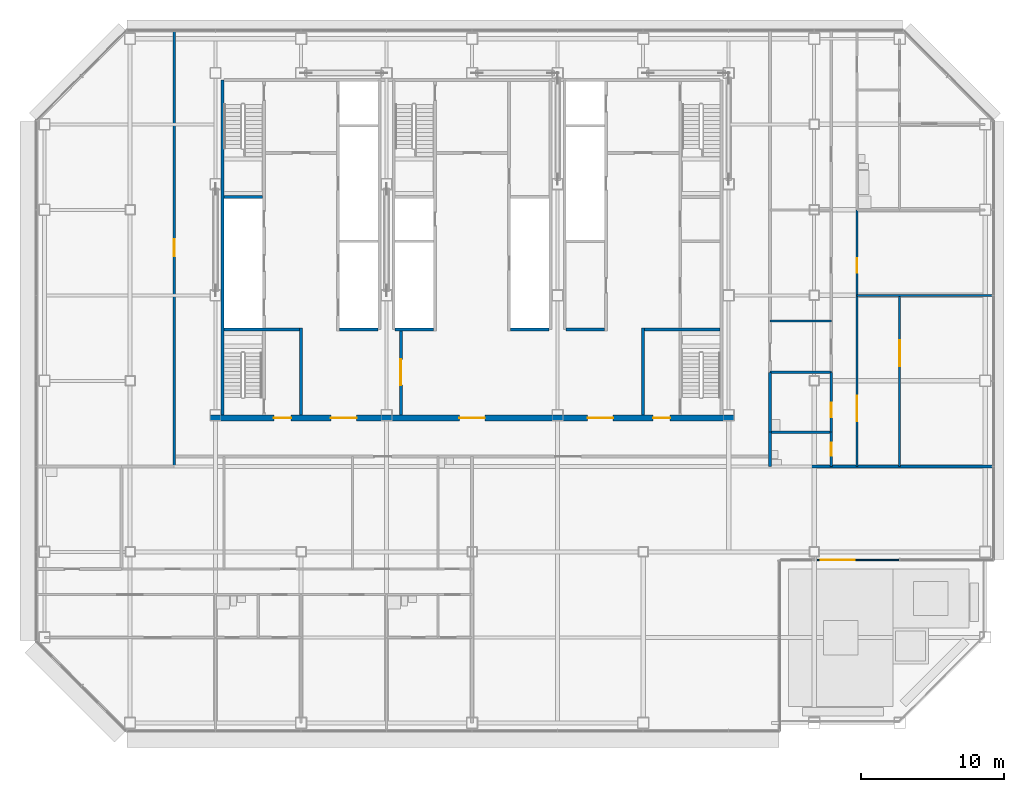
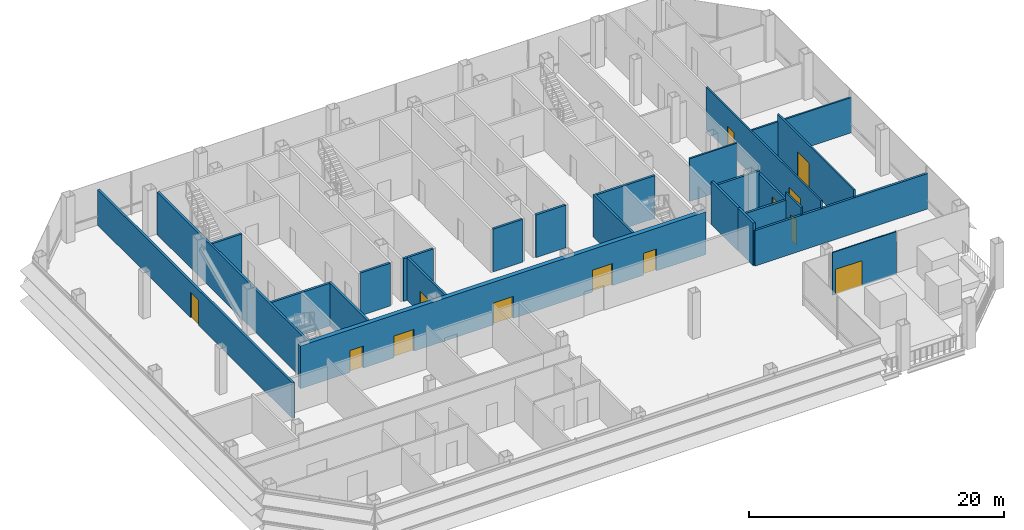
# One storey, part 20 of 28: 25 walls, 13 doors, 13 openings.
"""IFC4 building model written with IfcOpenShell, lengths in metres."""

from ifc_helpers import new_model, si_unit, direction, frame, frame_2d, origin, place, context, subcontext, project, spatial, rectangle, extrude, material, layer, layer_set, type_object, element, fill, save


model = new_model("IFC4")

# Units and contexts
model_context = context("Model", 3, precision=1e-05, world=origin(), true_north=direction((0.0, 1.0)))
body_context = subcontext(model_context, "Body", "Model", "MODEL_VIEW")
ifc_project = project(units=[si_unit("LENGTHUNIT", "METRE"), si_unit("AREAUNIT", "SQUARE_METRE"), si_unit("VOLUMEUNIT", "CUBIC_METRE"), si_unit("PLANEANGLEUNIT", "RADIAN"), si_unit("MASSUNIT", "GRAM", prefix="KILO")], contexts=[model_context])

# Site, building, storey
site_placement = place(None, origin())
site = spatial("IfcSite", under=ifc_project, at=site_placement, CompositionType="ELEMENT")
building_placement = place(site_placement, origin())
building = spatial("IfcBuilding", under=site, at=building_placement, Name="Sorahane Residences", CompositionType="ELEMENT")
storey_placement = place(building_placement, frame((0.0, 0.0, 134.0)))
storey = spatial("IfcBuildingStorey", under=building, at=storey_placement, Name="L30", CompositionType="ELEMENT", Elevation=134.0)

# Wall
ifc_material_1 = material(Name="Concrete C30", Category="concrete")
ifc_layer_1 = layer(ifc_material_1, 0.199951171875)
ifc_layer_set_1 = layer_set([ifc_layer_1], Name="Core face wall 200 EI 180")
wall_type_1 = type_object("IfcWallType", Name="Core face wall 200 EI 180", PredefinedType="SOLIDWALL", material=ifc_layer_set_1)
wall_1_placement = place(storey_placement, frame((6.5, 21.60009765625, 0.0), z_axis=(0.0, 0.0, 1.0), x_axis=(0.0, 1.0, 0.0)))
element("IfcWall", 1, at=wall_1_placement, inside=storey, type_object=wall_type_1, Name="L30 core face wall", PredefinedType="SOLIDWALL", context=body_context, shape_type="SweptSolid", body=[
    extrude(rectangle(XDim=23.5, YDim=0.199951171875, at=frame_2d((11.75, 0.0))), origin(), (0.0, 0.0, 1.0), 4.10009765625),
])

# Wall, opening, door
ifc_material_2 = material(Name="Concrete blockwork C20 wall", Category="masonry")
ifc_layer_2 = layer(ifc_material_2, 0.199951171875)
ifc_layer_set_2 = layer_set([ifc_layer_2], Name="Corridor wall 200 EI 120")
wall_type_2 = type_object("IfcWallType", Name="Corridor wall 200 EI 120", PredefinedType="SOLIDWALL", material=ifc_layer_set_2)
wall_2_placement = place(storey_placement, frame((3.10009765625, 18.0, 0.0), z_axis=(0.0, 0.0, 1.0), x_axis=(0.0, 1.0, 0.0)))
wall_2 = element("IfcWall", 2, at=wall_2_placement, inside=storey, type_object=wall_type_2, Name="L30 corridor wall", PredefinedType="SOLIDWALL", context=body_context, shape_type="SweptSolid", body=[
    extrude(rectangle(XDim=30.60009765625, YDim=0.199951171875, at=frame_2d((15.300048828125, 0.0))), origin(), (0.0, 0.0, 1.0), 3.39990234375),
])
opening_1_placement = place(wall_2_placement, frame((14.75, 0.0, 0.0)))
opening_1 = element("IfcOpeningElement", 3, at=opening_1_placement, cuts=wall_2, Name="Opening L30-30", PredefinedType="OPENING", context=body_context, shape_type="SweptSolid", body=[
    extrude(rectangle(XDim=1.199951171875, YDim=2.39990234375, at=frame_2d((0.60009765625, 1.199951171875))), frame((0.0, 0.10986328125, 0.0), z_axis=(0.0, -1.0, 0.0), x_axis=(1.0, 0.0, 0.0)), (0.0, 0.0, 1.0), 0.219970703125),
])
ifc_material_3 = material(Name="Steel", Category="steel")
door_type_1 = type_object("IfcDoorType", Name="Lobby door 1200x2400 FD60", OperationType="NOTDEFINED", PredefinedType="DOOR", material=ifc_material_3)
door_1_placement = place(opening_1_placement, origin())
door_1 = element("IfcDoor", 4, at=door_1_placement, inside=storey, type_object=door_type_1, Name="Lobby door L30-30", OperationType="SINGLE_SWING_LEFT", OverallHeight=2.39990234375, OverallWidth=1.199951171875, PredefinedType="DOOR", context=body_context, shape_type="SweptSolid", body=[
    extrude(rectangle(XDim=1.199951171875, YDim=2.39990234375, at=frame_2d((0.60009765625, 1.199951171875))), frame((0.0, 0.02490234375, 0.0), z_axis=(0.0, -1.0, 0.0), x_axis=(1.0, 0.0, 0.0)), (0.0, 0.0, 1.0), 0.050048828125),
])
fill(opening_1, door_1)

# Walls
wall_3_placement = place(storey_placement, frame((44.89990234375, 18.001953125, 0.0), z_axis=(0.0, 0.0, 1.0), x_axis=(0.0, 1.0, 0.0)))
element("IfcWall", 5, at=wall_3_placement, inside=storey, type_object=wall_type_2, Name="L30 corridor wall", PredefinedType="SOLIDWALL", context=body_context, shape_type="SweptSolid", body=[
    extrude(rectangle(XDim=2.39794921875, YDim=0.199951171875, at=frame_2d((1.198974609375, 0.0))), origin(), (0.0, 0.0, 1.0), 4.10009765625),
])
wall_4_placement = place(storey_placement, frame((44.902099609375, 18.0, 0.0), z_axis=(0.0, 0.0, 1.0), x_axis=(1.0, 0.0, 0.0)))
element("IfcWall", 6, at=wall_4_placement, inside=storey, type_object=wall_type_2, Name="L30 corridor wall", PredefinedType="SOLIDWALL", context=body_context, shape_type="SweptSolid", body=[
    extrude(rectangle(XDim=15.697998046875, YDim=0.199951171875, at=frame_2d((7.84912109375, 0.0))), origin(), (0.0, 0.0, 1.0), 3.39990234375),
])
ifc_material_4 = material(Name="Concrete C30", Category="concrete")
ifc_layer_3 = layer(ifc_material_4, 0.199951171875)
ifc_layer_set_3 = layer_set([ifc_layer_3], Name="Front room wall 200 EI 120")
wall_type_3 = type_object("IfcWallType", Name="Front room wall 200 EI 120", PredefinedType="PARTITIONING", material=ifc_layer_set_3)
for number, where, z_axis, x_axis, name in (
    (7, (12.0, 21.60009765625, 0.0), (0.0, 0.0, 1.0), (0.0, 1.0, 0.0), "L30 front room wall"),
    (8, (36.0, 21.60009765625, 0.0), (0.0, 0.0, 1.0), (0.0, 1.0, 0.0), "L30 front room wall"),
):
    element("IfcWall", number, at=place(storey_placement, frame(where, z_axis=z_axis, x_axis=x_axis)), inside=storey, type_object=wall_type_3, Name=name, PredefinedType="PARTITIONING", context=body_context, shape_type="SweptSolid", body=[
        extrude(rectangle(XDim=6.099853515625, YDim=0.199951171875, at=frame_2d((3.0498046875, 0.0))), origin(), (0.0, 0.0, 1.0), 4.10009765625),
    ])

# Wall, opening, door
ifc_material_5 = material(Name="Toughened low-iron glass", Category="glass")
ifc_layer_4 = layer(ifc_material_5, 0.10009765625)
ifc_layer_set_4 = layer_set([ifc_layer_4], Name="Glazed door screen toughened low-iron glass 100")
wall_type_4 = type_object("IfcWallType", Name="Glazed door screen toughened low-iron glass 100", PredefinedType="SOLIDWALL", material=ifc_layer_set_4)
wall_5_placement = place(storey_placement, frame((48.199951171875, 11.429931640625, 0.0), z_axis=(0.0, 0.0, 1.0), x_axis=(1.0, 0.0, 0.0)))
wall_5 = element("IfcWall", 9, at=wall_5_placement, inside=storey, type_object=wall_type_4, Name="Glazed door screen L30 S2.2", PredefinedType="SOLIDWALL", context=body_context, shape_type="SweptSolid", body=[
    extrude(rectangle(XDim=5.775146484375, YDim=0.10009765625, at=frame_2d((2.8876953125, 0.0))), origin(), (0.0, 0.0, 1.0), 4.10009765625),
])
opening_2_placement = place(wall_5_placement, frame((0.25, 0.0, 0.0)))
opening_2 = element("IfcOpeningElement", 10, at=opening_2_placement, cuts=wall_5, Name="Opening L30-F01", PredefinedType="OPENING", context=body_context, shape_type="SweptSolid", body=[
    extrude(rectangle(XDim=2.39990234375, YDim=2.39990234375, at=frame_2d((1.199951171875, 1.199951171875))), frame((0.0, 0.06005859375, 0.0), z_axis=(0.0, -1.0, 0.0), x_axis=(1.0, 0.0, 0.0)), (0.0, 0.0, 1.0), 0.1201171875),
])
ifc_material_6 = material(Name="Black anodised aluminium and low-iron glass", Category="aluminium")
door_type_2 = type_object("IfcDoorType", Name="Glazed terrace door black aluminium 2400x2400", OperationType="DOUBLE_DOOR_SINGLE_SWING", PredefinedType="DOOR", material=ifc_material_6)
door_2_placement = place(opening_2_placement, origin())
door_2 = element("IfcDoor", 11, at=door_2_placement, inside=storey, type_object=door_type_2, Name="Terrace door L30-F01", OperationType="DOUBLE_DOOR_SINGLE_SWING", OverallHeight=2.39990234375, OverallWidth=2.39990234375, PredefinedType="DOOR", context=body_context, shape_type="SweptSolid", body=[
    extrude(rectangle(XDim=2.39990234375, YDim=2.39990234375, at=frame_2d((1.199951171875, 1.199951171875))), frame((0.0, 0.02490234375, 0.0), z_axis=(0.0, -1.0, 0.0), x_axis=(1.0, 0.0, 0.0)), (0.0, 0.0, 1.0), 0.050048828125),
])
fill(opening_2, door_2)

# Wall
ifc_material_7 = material(Name="Concrete blockwork C20 wall", Category="masonry")
ifc_layer_5 = layer(ifc_material_7, 0.199951171875)
ifc_layer_set_5 = layer_set([ifc_layer_5], Name="Kitchen wall 200 EI 180")
wall_type_5 = type_object("IfcWallType", Name="Kitchen wall 200 EI 180", PredefinedType="SOLIDWALL", material=ifc_layer_set_5)
wall_6_placement = place(storey_placement, frame((44.89990234375, 20.39990234375, 0.0), z_axis=(0.0, 0.0, 1.0), x_axis=(0.0, 1.0, 0.0)))
element("IfcWall", 12, at=wall_6_placement, inside=storey, type_object=wall_type_5, Name="L30 kitchen wall", PredefinedType="SOLIDWALL", context=body_context, shape_type="SweptSolid", body=[
    extrude(rectangle(XDim=4.2001953125, YDim=0.199951171875, at=frame_2d((2.10009765625, 0.0))), origin(), (0.0, 0.0, 1.0), 4.10009765625),
])

# Wall, opening, door
wall_7_placement = place(storey_placement, frame((49.199951171875, 20.39990234375, 0.0), z_axis=(0.0, 0.0, 1.0), x_axis=(0.0, 1.0, 0.0)))
wall_7 = element("IfcWall", 13, at=wall_7_placement, inside=storey, type_object=wall_type_5, Name="L30 kitchen wall", PredefinedType="SOLIDWALL", context=body_context, shape_type="SweptSolid", body=[
    extrude(rectangle(XDim=4.2001953125, YDim=0.199951171875, at=frame_2d((2.10009765625, 0.0))), origin(), (0.0, 0.0, 1.0), 3.39990234375),
])
opening_3_placement = place(wall_7_placement, frame((1.06005859375, 0.0, 0.0)))
opening_3 = element("IfcOpeningElement", 14, at=opening_3_placement, cuts=wall_7, Name="Opening L30-17", PredefinedType="OPENING", context=body_context, shape_type="SweptSolid", body=[
    extrude(rectangle(XDim=1.0, YDim=2.39990234375, at=frame_2d((0.5, 1.199951171875))), frame((0.0, 0.10986328125, 0.0), z_axis=(0.0, -1.0, 0.0), x_axis=(1.0, 0.0, 0.0)), (0.0, 0.0, 1.0), 0.219970703125),
])
ifc_material_8 = material(Name="Steel", Category="steel")
door_type_3 = type_object("IfcDoorType", Name="Kitchen door 1000x2400 FD120", OperationType="NOTDEFINED", PredefinedType="DOOR", material=ifc_material_8)
door_3_placement = place(opening_3_placement, origin())
door_3 = element("IfcDoor", 15, at=door_3_placement, inside=storey, type_object=door_type_3, Name="Kitchen door L30-17", OperationType="SINGLE_SWING_RIGHT", OverallHeight=2.39990234375, OverallWidth=1.0, PredefinedType="DOOR", context=body_context, shape_type="SweptSolid", body=[
    extrude(rectangle(XDim=1.0, YDim=2.39990234375, at=frame_2d((0.5, 1.199951171875))), frame((0.0, 0.02490234375, 0.0), z_axis=(0.0, -1.0, 0.0), x_axis=(1.0, 0.0, 0.0)), (0.0, 0.0, 1.0), 0.050048828125),
])
fill(opening_3, door_3)

# Walls
wall_8_placement = place(storey_placement, frame((44.89990234375, 20.39990234375, 0.0), z_axis=(0.0, 0.0, 1.0), x_axis=(1.0, 0.0, 0.0)))
element("IfcWall", 16, at=wall_8_placement, inside=storey, type_object=wall_type_5, Name="L30 kitchen wall", PredefinedType="SOLIDWALL", context=body_context, shape_type="SweptSolid", body=[
    extrude(rectangle(XDim=4.300048828125, YDim=0.199951171875, at=frame_2d((2.14990234375, 0.0))), origin(), (0.0, 0.0, 1.0), 3.39990234375),
])
wall_9_placement = place(storey_placement, frame((44.89990234375, 24.60009765625, 0.0), z_axis=(0.0, 0.0, 1.0), x_axis=(1.0, 0.0, 0.0)))
element("IfcWall", 17, at=wall_9_placement, inside=storey, type_object=wall_type_5, Name="L30 kitchen wall", PredefinedType="SOLIDWALL", context=body_context, shape_type="SweptSolid", body=[
    extrude(rectangle(XDim=4.300048828125, YDim=0.199951171875, at=frame_2d((2.14990234375, 0.0))), origin(), (0.0, 0.0, 1.0), 3.64990234375),
])
ifc_material_9 = material(Name="Concrete C30", Category="concrete")
ifc_layer_6 = layer(ifc_material_9, 0.199951171875)
ifc_layer_set_6 = layer_set([ifc_layer_6], Name="Lift shaft wall 200 EI 120")
wall_type_6 = type_object("IfcWallType", Name="Lift shaft wall 200 EI 120", PredefinedType="SOLIDWALL", material=ifc_layer_set_6)
for number, where, z_axis, x_axis, name in (
    (18, (14.699951171875, 27.60009765625, 0.0), (0.0, 0.0, 1.0), (1.0, 0.0, 0.0), "L30 lift shaft wall"),
    (19, (18.60009765625, 27.60009765625, 0.0), (0.0, 0.0, 1.0), (1.0, 0.0, 0.0), "L30 lift shaft wall"),
):
    element("IfcWall", number, at=place(storey_placement, frame(where, z_axis=z_axis, x_axis=x_axis)), inside=storey, type_object=wall_type_6, Name=name, PredefinedType="SOLIDWALL", context=body_context, shape_type="SweptSolid", body=[
        extrude(rectangle(XDim=2.699951171875, YDim=0.199951171875, at=frame_2d((1.35009765625, 0.0))), origin(), (0.0, 0.0, 1.0), 4.10009765625),
    ])

# Wall, openings, doors
ifc_material_10 = material(Name="Gypsum board partition on steel studs", Category="steel")
ifc_layer_7 = layer(ifc_material_10, 0.14990234375)
ifc_layer_set_7 = layer_set([ifc_layer_7], Name="Partition 150 EI 90")
wall_type_7 = type_object("IfcWallType", Name="Partition 150 EI 90", PredefinedType="PARTITIONING", material=ifc_layer_set_7)
wall_10_placement = place(storey_placement, frame((51.0, 18.0, 0.0), z_axis=(0.0, 0.0, 1.0), x_axis=(0.0, 1.0, 0.0)))
wall_10 = element("IfcWall", 20, at=wall_10_placement, inside=storey, type_object=wall_type_7, Name="L30 partition", PredefinedType="PARTITIONING", context=body_context, shape_type="SweptSolid", body=[
    extrude(rectangle(XDim=18.0, YDim=0.14990234375, at=frame_2d((9.0, 0.0))), origin(), (0.0, 0.0, 1.0), 4.10009765625),
])
opening_4_placement = place(wall_10_placement, frame((3.159912109375, 0.0, 0.0)))
opening_4 = element("IfcOpeningElement", 21, at=opening_4_placement, cuts=wall_10, Name="Opening L30-20", PredefinedType="OPENING", context=body_context, shape_type="SweptSolid", body=[
    extrude(rectangle(XDim=1.800048828125, YDim=2.39990234375, at=frame_2d((0.89990234375, 1.199951171875))), frame((0.0, 0.0849609375, 0.0), z_axis=(0.0, -1.0, 0.0), x_axis=(1.0, 0.0, 0.0)), (0.0, 0.0, 1.0), 0.169921875),
])
opening_5_placement = place(wall_10_placement, frame((13.60009765625, 0.0, 0.0)))
opening_5 = element("IfcOpeningElement", 22, at=opening_5_placement, cuts=wall_10, Name="Opening L30-21", PredefinedType="OPENING", context=body_context, shape_type="SweptSolid", body=[
    extrude(rectangle(XDim=1.0, YDim=2.39990234375, at=frame_2d((0.5, 1.199951171875))), frame((0.0, 0.0849609375, 0.0), z_axis=(0.0, -1.0, 0.0), x_axis=(1.0, 0.0, 0.0)), (0.0, 0.0, 1.0), 0.169921875),
])
ifc_material_11 = material(Name="Timber veneered fire door", Category="wood")
door_type_4 = type_object("IfcDoorType", Name="Double door 1800x2400 FD30", OperationType="NOTDEFINED", PredefinedType="DOOR", material=ifc_material_11)
door_4_placement = place(opening_4_placement, frame((1.800048828125, 0.0, 0.0), z_axis=(0.0, 0.0, 1.0), x_axis=(-1.0, 0.0, 0.0)))
door_4 = element("IfcDoor", 23, at=door_4_placement, inside=storey, type_object=door_type_4, Name="Double door L30-20", OperationType="SINGLE_SWING_RIGHT", OverallHeight=2.39990234375, OverallWidth=1.800048828125, PredefinedType="DOOR", context=body_context, shape_type="SweptSolid", body=[
    extrude(rectangle(XDim=1.800048828125, YDim=2.39990234375, at=frame_2d((0.89990234375, 1.199951171875))), frame((0.0, 0.02490234375, 0.0), z_axis=(0.0, -1.0, 0.0), x_axis=(1.0, 0.0, 0.0)), (0.0, 0.0, 1.0), 0.050048828125),
])
fill(opening_4, door_4)
ifc_material_12 = material(Name="Timber veneered fire door", Category="wood")
door_type_5 = type_object("IfcDoorType", Name="Room door 1000x2400 FD30", OperationType="NOTDEFINED", PredefinedType="DOOR", material=ifc_material_12)
door_5_placement = place(opening_5_placement, frame((1.0, 0.0, 0.0), z_axis=(0.0, 0.0, 1.0), x_axis=(-1.0, 0.0, 0.0)))
door_5 = element("IfcDoor", 24, at=door_5_placement, inside=storey, type_object=door_type_5, Name="Room door L30-21", OperationType="SINGLE_SWING_RIGHT", OverallHeight=2.39990234375, OverallWidth=1.0, PredefinedType="DOOR", context=body_context, shape_type="SweptSolid", body=[
    extrude(rectangle(XDim=1.0, YDim=2.39990234375, at=frame_2d((0.5, 1.199951171875))), frame((0.0, 0.02490234375, 0.0), z_axis=(0.0, -1.0, 0.0), x_axis=(1.0, 0.0, 0.0)), (0.0, 0.0, 1.0), 0.050048828125),
])
fill(opening_5, door_5)

# Wall, opening, door
wall_11_placement = place(storey_placement, frame((54.0, 18.0, 0.0), z_axis=(0.0, 0.0, 1.0), x_axis=(0.0, 1.0, 0.0)))
wall_11 = element("IfcWall", 25, at=wall_11_placement, inside=storey, type_object=wall_type_7, Name="L30 partition", PredefinedType="PARTITIONING", context=body_context, shape_type="SweptSolid", body=[
    extrude(rectangle(XDim=12.0, YDim=0.14990234375, at=frame_2d((6.0, 0.0))), origin(), (0.0, 0.0, 1.0), 4.10009765625),
])
opening_6_placement = place(wall_11_placement, frame((7.0400390625, 0.0, 0.0)))
opening_6 = element("IfcOpeningElement", 26, at=opening_6_placement, cuts=wall_11, Name="Opening L30-23", PredefinedType="OPENING", context=body_context, shape_type="SweptSolid", body=[
    extrude(rectangle(XDim=1.800048828125, YDim=2.39990234375, at=frame_2d((0.89990234375, 1.199951171875))), frame((0.0, 0.0849609375, 0.0), z_axis=(0.0, -1.0, 0.0), x_axis=(1.0, 0.0, 0.0)), (0.0, 0.0, 1.0), 0.169921875),
])
door_6_placement = place(opening_6_placement, frame((1.800048828125, 0.0, 0.0), z_axis=(0.0, 0.0, 1.0), x_axis=(-1.0, 0.0, 0.0)))
door_6 = element("IfcDoor", 27, at=door_6_placement, inside=storey, type_object=door_type_4, Name="Double door L30-23", OperationType="SINGLE_SWING_RIGHT", OverallHeight=2.39990234375, OverallWidth=1.800048828125, PredefinedType="DOOR", context=body_context, shape_type="SweptSolid", body=[
    extrude(rectangle(XDim=1.800048828125, YDim=2.39990234375, at=frame_2d((0.89990234375, 1.199951171875))), frame((0.0, 0.02490234375, 0.0), z_axis=(0.0, -1.0, 0.0), x_axis=(1.0, 0.0, 0.0)), (0.0, 0.0, 1.0), 0.050048828125),
])
fill(opening_6, door_6)

# Walls
wall_12_placement = place(storey_placement, frame((44.89990234375, 28.199951171875, 0.0), z_axis=(0.0, 0.0, 1.0), x_axis=(1.0, 0.0, 0.0)))
element("IfcWall", 28, at=wall_12_placement, inside=storey, type_object=wall_type_7, Name="L30 partition", PredefinedType="PARTITIONING", context=body_context, shape_type="SweptSolid", body=[
    extrude(rectangle(XDim=4.300048828125, YDim=0.14990234375, at=frame_2d((2.14990234375, 0.0))), origin(), (0.0, 0.0, 1.0), 4.10009765625),
])
wall_13_placement = place(storey_placement, frame((51.0, 30.0, 0.0), z_axis=(0.0, 0.0, 1.0), x_axis=(1.0, 0.0, 0.0)))
element("IfcWall", 29, at=wall_13_placement, inside=storey, type_object=wall_type_7, Name="L30 partition", PredefinedType="PARTITIONING", context=body_context, shape_type="SweptSolid", body=[
    extrude(rectangle(XDim=9.60009765625, YDim=0.14990234375, at=frame_2d((4.800048828125, 0.0))), origin(), (0.0, 0.0, 1.0), 3.39990234375),
])
ifc_material_13 = material(Name="Concrete C30", Category="concrete")
ifc_layer_8 = layer(ifc_material_13, 0.199951171875)
ifc_layer_set_8 = layer_set([ifc_layer_8], Name="Riser shaft wall 200 EI 120")
wall_type_8 = type_object("IfcWallType", Name="Riser shaft wall 200 EI 120", PredefinedType="SOLIDWALL", material=ifc_layer_set_8)
wall_14_placement = place(storey_placement, frame((26.699951171875, 27.60009765625, 0.0), z_axis=(0.0, 0.0, 1.0), x_axis=(1.0, 0.0, 0.0)))
element("IfcWall", 30, at=wall_14_placement, inside=storey, type_object=wall_type_8, Name="L30 riser wall", PredefinedType="SOLIDWALL", context=body_context, shape_type="SweptSolid", body=[
    extrude(rectangle(XDim=2.699951171875, YDim=0.199951171875, at=frame_2d((1.35009765625, 0.0))), origin(), (0.0, 0.0, 1.0), 4.10009765625),
])

# Wall, opening, door
ifc_material_14 = material(Name="Concrete C30", Category="concrete")
ifc_layer_9 = layer(ifc_material_14, 0.199951171875)
ifc_layer_set_9 = layer_set([ifc_layer_9], Name="Service room partition 200 EI 60")
wall_type_9 = type_object("IfcWallType", Name="Service room partition 200 EI 60", PredefinedType="PARTITIONING", material=ifc_layer_set_9)
wall_15_placement = place(storey_placement, frame((19.0, 21.60009765625, 0.0), z_axis=(0.0, 0.0, 1.0), x_axis=(0.0, 1.0, 0.0)))
wall_15 = element("IfcWall", 31, at=wall_15_placement, inside=storey, type_object=wall_type_9, Name="L30 service room wall", PredefinedType="PARTITIONING", context=body_context, shape_type="SweptSolid", body=[
    extrude(rectangle(XDim=6.0, YDim=0.199951171875, at=frame_2d((3.0, 0.0))), origin(), (0.0, 0.0, 1.0), 4.10009765625),
])
opening_7_placement = place(wall_15_placement, frame((2.10009765625, 0.0, 0.0)))
opening_7 = element("IfcOpeningElement", 32, at=opening_7_placement, cuts=wall_15, Name="Opening L30-C02", PredefinedType="OPENING", context=body_context, shape_type="SweptSolid", body=[
    extrude(rectangle(XDim=1.800048828125, YDim=2.10009765625, at=frame_2d((0.89990234375, 1.050048828125))), frame((0.0, 0.10986328125, 0.0), z_axis=(0.0, -1.0, 0.0), x_axis=(1.0, 0.0, 0.0)), (0.0, 0.0, 1.0), 0.219970703125),
])
ifc_material_15 = material(Name="Steel", Category="steel")
door_type_6 = type_object("IfcDoorType", Name="Waiting hall door 1800x2100 FD60", OperationType="NOTDEFINED", PredefinedType="DOOR", material=ifc_material_15)
door_7_placement = place(opening_7_placement, origin())
door_7 = element("IfcDoor", 33, at=door_7_placement, inside=storey, type_object=door_type_6, Name="Waiting hall door Residents' waiting hall west L30", OperationType="SINGLE_SWING_LEFT", OverallHeight=2.10009765625, OverallWidth=1.800048828125, PredefinedType="DOOR", context=body_context, shape_type="SweptSolid", body=[
    extrude(rectangle(XDim=1.800048828125, YDim=2.10009765625, at=frame_2d((0.89990234375, 1.050048828125))), frame((0.0, 0.02490234375, 0.0), z_axis=(0.0, -1.0, 0.0), x_axis=(1.0, 0.0, 0.0)), (0.0, 0.0, 1.0), 0.050048828125),
])
fill(opening_7, door_7)

# Walls
wall_16_placement = place(storey_placement, frame((30.60009765625, 27.60009765625, 0.0), z_axis=(0.0, 0.0, 1.0), x_axis=(1.0, 0.0, 0.0)))
element("IfcWall", 34, at=wall_16_placement, inside=storey, type_object=wall_type_9, Name="L30 service room wall", PredefinedType="PARTITIONING", context=body_context, shape_type="SweptSolid", body=[
    extrude(rectangle(XDim=2.699951171875, YDim=0.199951171875, at=frame_2d((1.35009765625, 0.0))), origin(), (0.0, 0.0, 1.0), 4.10009765625),
])
ifc_material_16 = material(Name="Concrete C30", Category="concrete")
ifc_layer_10 = layer(ifc_material_16, 0.199951171875)
ifc_layer_set_10 = layer_set([ifc_layer_10], Name="Stair enclosure wall 200 EI 120")
wall_type_10 = type_object("IfcWallType", Name="Stair enclosure wall 200 EI 120", PredefinedType="SOLIDWALL", material=ifc_layer_set_10)
for number, where, z_axis, x_axis, name in (
    (35, (36.10009765625, 27.60009765625, 0.0), (0.0, 0.0, 1.0), (1.0, 0.0, 0.0), "L30 stair enclosure wall"),
    (36, (6.60009765625, 27.60009765625, 0.0), (0.0, 0.0, 1.0), (1.0, 0.0, 0.0), "L30 stair enclosure wall"),
):
    element("IfcWall", number, at=place(storey_placement, frame(where, z_axis=z_axis, x_axis=x_axis)), inside=storey, type_object=wall_type_10, Name=name, PredefinedType="SOLIDWALL", context=body_context, shape_type="SweptSolid", body=[
        extrude(rectangle(XDim=5.2998046875, YDim=0.199951171875, at=frame_2d((2.64990234375, 0.0))), origin(), (0.0, 0.0, 1.0), 4.10009765625),
    ])
wall_17_placement = place(storey_placement, frame((6.60009765625, 36.89990234375, 0.0), z_axis=(0.0, 0.0, 1.0), x_axis=(1.0, 0.0, 0.0)))
element("IfcWall", 37, at=wall_17_placement, inside=storey, type_object=wall_type_10, Name="L30 stair enclosure wall", PredefinedType="SOLIDWALL", context=body_context, shape_type="SweptSolid", body=[
    extrude(rectangle(XDim=2.699951171875, YDim=0.199951171875, at=frame_2d((1.35009765625, 0.0))), origin(), (0.0, 0.0, 1.0), 4.10009765625),
])

# Wall, openings, doors
ifc_material_17 = material(Name="Concrete C30", Category="concrete")
ifc_layer_11 = layer(ifc_material_17, 0.39990234375)
ifc_layer_set_11 = layer_set([ifc_layer_11], Name="Waiting hall wall 400 EI 120")
wall_type_11 = type_object("IfcWallType", Name="Waiting hall wall 400 EI 120", PredefinedType="SOLIDWALL", material=ifc_layer_set_11)
wall_18_placement = place(storey_placement, frame((5.60009765625, 21.39990234375, 0.0), z_axis=(0.0, 0.0, 1.0), x_axis=(1.0, 0.0, 0.0)))
wall_18 = element("IfcWall", 38, at=wall_18_placement, inside=storey, type_object=wall_type_11, Name="L30 waiting hall wall", PredefinedType="SOLIDWALL", context=body_context, shape_type="SweptSolid", body=[
    extrude(rectangle(XDim=36.7998046875, YDim=0.39990234375, at=frame_2d((18.39990234375, 0.0))), origin(), (0.0, 0.0, 1.0), 4.10009765625),
])
opening_8_placement = place(wall_18_placement, frame((8.5, 0.0, 0.0)))
opening_8 = element("IfcOpeningElement", 39, at=opening_8_placement, cuts=wall_18, Name="Opening L30-C01", PredefinedType="OPENING", context=body_context, shape_type="SweptSolid", body=[
    extrude(rectangle(XDim=1.800048828125, YDim=2.10009765625, at=frame_2d((0.89990234375, 1.050048828125))), frame((0.0, 0.2099609375, 0.0), z_axis=(0.0, -1.0, 0.0), x_axis=(1.0, 0.0, 0.0)), (0.0, 0.0, 1.0), 0.419921875),
])
opening_9_placement = place(wall_18_placement, frame((17.5, 0.0, 0.0)))
opening_9 = element("IfcOpeningElement", 40, at=opening_9_placement, cuts=wall_18, Name="Opening L30-C03", PredefinedType="OPENING", context=body_context, shape_type="SweptSolid", body=[
    extrude(rectangle(XDim=1.800048828125, YDim=2.10009765625, at=frame_2d((0.89990234375, 1.050048828125))), frame((0.0, 0.2099609375, 0.0), z_axis=(0.0, -1.0, 0.0), x_axis=(1.0, 0.0, 0.0)), (0.0, 0.0, 1.0), 0.419921875),
])
opening_10_placement = place(wall_18_placement, frame((26.5, 0.0, 0.0)))
opening_10 = element("IfcOpeningElement", 41, at=opening_10_placement, cuts=wall_18, Name="Opening L30-C04", PredefinedType="OPENING", context=body_context, shape_type="SweptSolid", body=[
    extrude(rectangle(XDim=1.800048828125, YDim=2.10009765625, at=frame_2d((0.89990234375, 1.050048828125))), frame((0.0, 0.2099609375, 0.0), z_axis=(0.0, -1.0, 0.0), x_axis=(1.0, 0.0, 0.0)), (0.0, 0.0, 1.0), 0.419921875),
])
opening_11_placement = place(wall_18_placement, frame((4.5, 0.0, 0.0)))
opening_11 = element("IfcOpeningElement", 42, at=opening_11_placement, cuts=wall_18, Name="Opening L30-C05", PredefinedType="OPENING", context=body_context, shape_type="SweptSolid", body=[
    extrude(rectangle(XDim=1.199951171875, YDim=2.10009765625, at=frame_2d((0.60009765625, 1.050048828125))), frame((0.0, 0.2099609375, 0.0), z_axis=(0.0, -1.0, 0.0), x_axis=(1.0, 0.0, 0.0)), (0.0, 0.0, 1.0), 0.419921875),
])
opening_12_placement = place(wall_18_placement, frame((31.10009765625, 0.0, 0.0)))
opening_12 = element("IfcOpeningElement", 43, at=opening_12_placement, cuts=wall_18, Name="Opening L30-C06", PredefinedType="OPENING", context=body_context, shape_type="SweptSolid", body=[
    extrude(rectangle(XDim=1.199951171875, YDim=2.10009765625, at=frame_2d((0.60009765625, 1.050048828125))), frame((0.0, 0.2099609375, 0.0), z_axis=(0.0, -1.0, 0.0), x_axis=(1.0, 0.0, 0.0)), (0.0, 0.0, 1.0), 0.419921875),
])
ifc_material_18 = material(Name="Steel", Category="steel")
door_type_7 = type_object("IfcDoorType", Name="Stair front room door 1200x2100 FD120", OperationType="NOTDEFINED", PredefinedType="DOOR", material=ifc_material_18)
door_8_placement = place(opening_11_placement, frame((1.199951171875, 0.0, 0.0), z_axis=(0.0, 0.0, 1.0), x_axis=(-1.0, 0.0, 0.0)))
door_8 = element("IfcDoor", 44, at=door_8_placement, inside=storey, type_object=door_type_7, Name="Stair front room door Stair S4 front room L30", OperationType="SINGLE_SWING_LEFT", OverallHeight=2.10009765625, OverallWidth=1.199951171875, PredefinedType="DOOR", context=body_context, shape_type="SweptSolid", body=[
    extrude(rectangle(XDim=1.199951171875, YDim=2.10009765625, at=frame_2d((0.60009765625, 1.050048828125))), frame((0.0, 0.02490234375, 0.0), z_axis=(0.0, -1.0, 0.0), x_axis=(1.0, 0.0, 0.0)), (0.0, 0.0, 1.0), 0.050048828125),
])
fill(opening_11, door_8)
door_9_placement = place(opening_12_placement, frame((1.199951171875, 0.0, 0.0), z_axis=(0.0, 0.0, 1.0), x_axis=(-1.0, 0.0, 0.0)))
door_9 = element("IfcDoor", 45, at=door_9_placement, inside=storey, type_object=door_type_7, Name="Stair front room door Stair S5 front room L30", OperationType="SINGLE_SWING_LEFT", OverallHeight=2.10009765625, OverallWidth=1.199951171875, PredefinedType="DOOR", context=body_context, shape_type="SweptSolid", body=[
    extrude(rectangle(XDim=1.199951171875, YDim=2.10009765625, at=frame_2d((0.60009765625, 1.050048828125))), frame((0.0, 0.02490234375, 0.0), z_axis=(0.0, -1.0, 0.0), x_axis=(1.0, 0.0, 0.0)), (0.0, 0.0, 1.0), 0.050048828125),
])
fill(opening_12, door_9)
door_10_placement = place(opening_8_placement, frame((1.800048828125, 0.0, 0.0), z_axis=(0.0, 0.0, 1.0), x_axis=(-1.0, 0.0, 0.0)))
door_10 = element("IfcDoor", 46, at=door_10_placement, inside=storey, type_object=door_type_6, Name="Waiting hall door Residents' waiting hall west L30", OperationType="SINGLE_SWING_LEFT", OverallHeight=2.10009765625, OverallWidth=1.800048828125, PredefinedType="DOOR", context=body_context, shape_type="SweptSolid", body=[
    extrude(rectangle(XDim=1.800048828125, YDim=2.10009765625, at=frame_2d((0.89990234375, 1.050048828125))), frame((0.0, 0.02490234375, 0.0), z_axis=(0.0, -1.0, 0.0), x_axis=(1.0, 0.0, 0.0)), (0.0, 0.0, 1.0), 0.050048828125),
])
fill(opening_8, door_10)
door_11_placement = place(opening_9_placement, frame((1.800048828125, 0.0, 0.0), z_axis=(0.0, 0.0, 1.0), x_axis=(-1.0, 0.0, 0.0)))
door_11 = element("IfcDoor", 47, at=door_11_placement, inside=storey, type_object=door_type_6, Name="Waiting hall door Residents' waiting hall east L30", OperationType="SINGLE_SWING_LEFT", OverallHeight=2.10009765625, OverallWidth=1.800048828125, PredefinedType="DOOR", context=body_context, shape_type="SweptSolid", body=[
    extrude(rectangle(XDim=1.800048828125, YDim=2.10009765625, at=frame_2d((0.89990234375, 1.050048828125))), frame((0.0, 0.02490234375, 0.0), z_axis=(0.0, -1.0, 0.0), x_axis=(1.0, 0.0, 0.0)), (0.0, 0.0, 1.0), 0.050048828125),
])
fill(opening_9, door_11)
door_12_placement = place(opening_10_placement, frame((1.800048828125, 0.0, 0.0), z_axis=(0.0, 0.0, 1.0), x_axis=(-1.0, 0.0, 0.0)))
door_12 = element("IfcDoor", 48, at=door_12_placement, inside=storey, type_object=door_type_6, Name="Waiting hall door Residents' waiting hall east L30", OperationType="SINGLE_SWING_LEFT", OverallHeight=2.10009765625, OverallWidth=1.800048828125, PredefinedType="DOOR", context=body_context, shape_type="SweptSolid", body=[
    extrude(rectangle(XDim=1.800048828125, YDim=2.10009765625, at=frame_2d((0.89990234375, 1.050048828125))), frame((0.0, 0.02490234375, 0.0), z_axis=(0.0, -1.0, 0.0), x_axis=(1.0, 0.0, 0.0)), (0.0, 0.0, 1.0), 0.050048828125),
])
fill(opening_10, door_12)

# Wall, opening, door
ifc_material_19 = material(Name="Gypsum board partition on steel studs", Category="steel")
ifc_layer_12 = layer(ifc_material_19, 0.14990234375)
ifc_layer_set_12 = layer_set([ifc_layer_12], Name="Wet wall 150 EI 90")
wall_type_12 = type_object("IfcWallType", Name="Wet wall 150 EI 90", PredefinedType="PARTITIONING", material=ifc_layer_set_12)
wall_19_placement = place(storey_placement, frame((49.199951171875, 18.0, 0.0), z_axis=(0.0, 0.0, 1.0), x_axis=(0.0, 1.0, 0.0)))
wall_19 = element("IfcWall", 49, at=wall_19_placement, inside=storey, type_object=wall_type_12, Name="L30 wet wall", PredefinedType="PARTITIONING", context=body_context, shape_type="SweptSolid", body=[
    extrude(rectangle(XDim=2.39990234375, YDim=0.14990234375, at=frame_2d((1.199951171875, 0.0))), origin(), (0.0, 0.0, 1.0), 4.10009765625),
])
opening_13_placement = place(wall_19_placement, frame((0.75, 0.0, 0.0)))
opening_13 = element("IfcOpeningElement", 50, at=opening_13_placement, cuts=wall_19, Name="Opening L30-16", PredefinedType="OPENING", context=body_context, shape_type="SweptSolid", body=[
    extrude(rectangle(XDim=0.89990234375, YDim=2.39990234375, at=frame_2d((0.449951171875, 1.199951171875))), frame((0.0, 0.0849609375, 0.0), z_axis=(0.0, -1.0, 0.0), x_axis=(1.0, 0.0, 0.0)), (0.0, 0.0, 1.0), 0.169921875),
])
ifc_material_20 = material(Name="Timber veneered fire door", Category="wood")
door_type_8 = type_object("IfcDoorType", Name="Bathroom door 900x2400 FD30", OperationType="NOTDEFINED", PredefinedType="DOOR", material=ifc_material_20)
door_13_placement = place(opening_13_placement, frame((0.89990234375, 0.0, 0.0), z_axis=(0.0, 0.0, 1.0), x_axis=(-1.0, 0.0, 0.0)))
door_13 = element("IfcDoor", 51, at=door_13_placement, inside=storey, type_object=door_type_8, Name="Bathroom door L30-16", OperationType="SINGLE_SWING_LEFT", OverallHeight=2.39990234375, OverallWidth=0.89990234375, PredefinedType="DOOR", context=body_context, shape_type="SweptSolid", body=[
    extrude(rectangle(XDim=0.89990234375, YDim=2.39990234375, at=frame_2d((0.449951171875, 1.199951171875))), frame((0.0, 0.02490234375, 0.0), z_axis=(0.0, -1.0, 0.0), x_axis=(1.0, 0.0, 0.0)), (0.0, 0.0, 1.0), 0.050048828125),
])
fill(opening_13, door_13)

save(model, "model.ifc")
